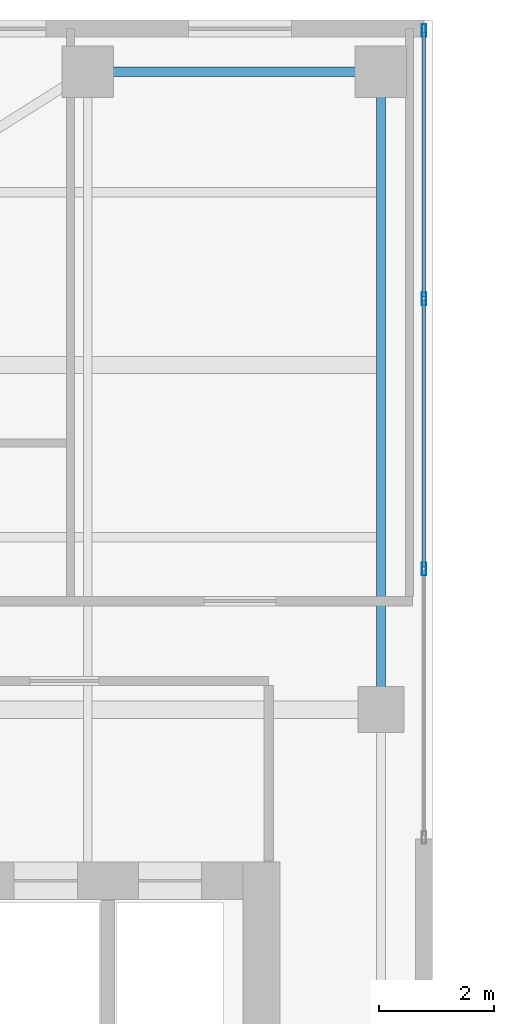
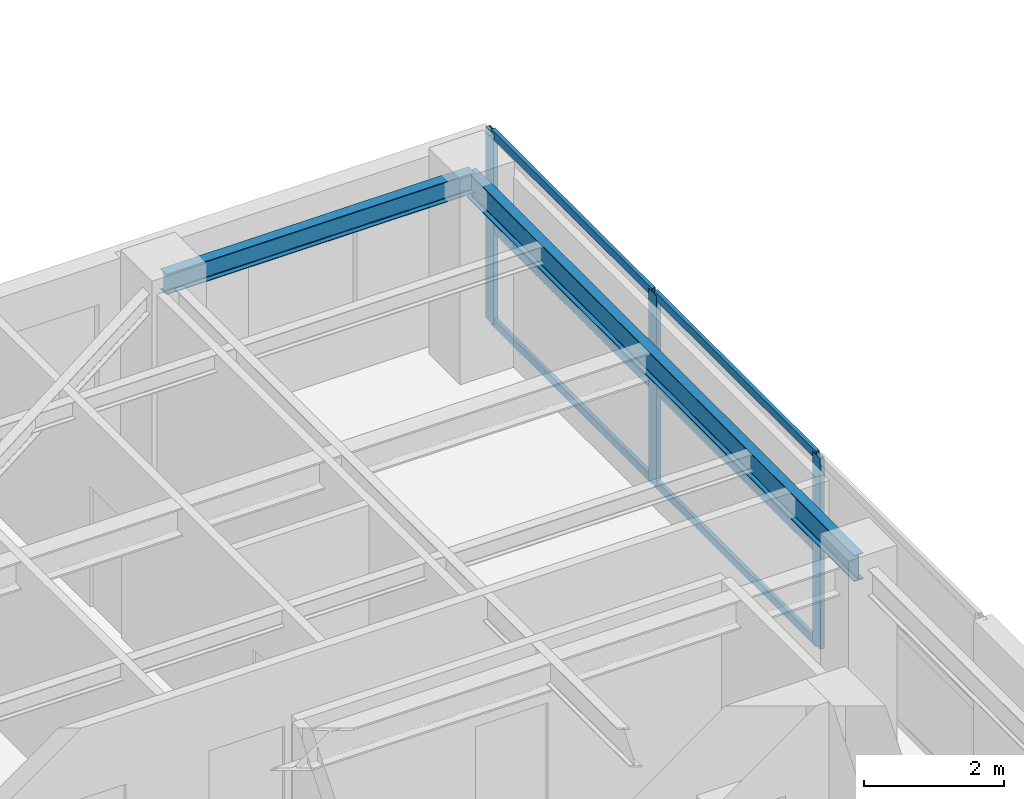
# One storey, part 13 of 20: 9 members, 2 beams, 1 element without a shape of its own.
"""IFC4 building model written with IfcOpenShell, lengths in metres."""

from ifc_helpers import new_model, si_unit, direction, frame, origin, origin_2d, place, context, subcontext, project, spatial, hollow_rectangle, i_section, extrude, source, transform, mapped, material, layer, layer_set, material_profile, profile_set, type_object, element, aggregate, save


model = new_model("IFC4")

# Units and contexts
model_context = context("Model", 3, precision=1e-05, world=origin(), true_north=direction((0.0, 1.0)))
body_context = subcontext(model_context, "Body", "Model", "MODEL_VIEW")
ifc_project = project(units=[si_unit("LENGTHUNIT", "METRE"), si_unit("AREAUNIT", "SQUARE_METRE"), si_unit("VOLUMEUNIT", "CUBIC_METRE"), si_unit("PLANEANGLEUNIT", "RADIAN"), si_unit("MASSUNIT", "GRAM", prefix="KILO")], contexts=[model_context])

# Site, building, storey
site_placement = place(None, origin())
site = spatial("IfcSite", under=ifc_project, at=site_placement, CompositionType="ELEMENT")
building_placement = place(site_placement, origin())
building = spatial("IfcBuilding", under=site, at=building_placement, Name="Khoralis Quay Care Tower", CompositionType="ELEMENT")
storey_placement = place(building_placement, frame((0.0, 0.0, 198.89990234375)))
storey = spatial("IfcBuildingStorey", under=building, at=storey_placement, Name="L52", CompositionType="ELEMENT", Elevation=198.89990234375)

# Beams
ifc_material_1 = material(Name="Steel S355", Category="steel")
ifc_material_profile_1 = material_profile(ifc_material_1, i_section(OverallWidth=0.169921875, OverallDepth=0.360107421875, WebThickness=0.008056640625, FlangeThickness=0.0126953125, FilletRadius=0.01806640625, at=origin_2d()), Name="Steel S355")
ifc_profile_set_1 = profile_set([ifc_material_profile_1], Name="Steel S355")
beam_type_1 = type_object("IfcBeamType", Name="BM-IPE360", PredefinedType="SPANDREL", material=ifc_profile_set_1)
shared_shape_1 = source(origin(), body_context, "Body", "SweptSolid", [
    extrude(i_section(OverallWidth=0.169921875, OverallDepth=0.360107421875, WebThickness=0.008056640625, FlangeThickness=0.0126953125, FilletRadius=0.01806640625, at=origin_2d()), origin(), (0.0, 0.0, 1.0), 5.10009765625),
])
beam_1_placement = place(storey_placement, frame((12.0, 41.10009765625, 3.16015625), z_axis=(1.0, 0.0, 0.0), x_axis=(0.0, 1.0, 0.0)))
element("IfcBeam", 1, at=beam_1_placement, inside=storey, type_object=beam_type_1, Name="BM-TSP-L52-03", PredefinedType="SPANDREL", context=body_context, shape_type="MappedRepresentation", body=[
    mapped(shared_shape_1, transform((0.0, 0.0, 0.0), scale=1.0)),
])
ifc_material_profile_2 = material_profile(ifc_material_1, i_section(OverallWidth=0.154052734375, OverallDepth=0.458984375, WebThickness=0.009033203125, FlangeThickness=0.015380859375, FilletRadius=0.014892578125, at=origin_2d()), Name="Steel S355")
ifc_profile_set_2 = profile_set([ifc_material_profile_2], Name="Steel S355")
beam_type_2 = type_object("IfcBeamType", Name="BM-W460X68", PredefinedType="BEAM", material=ifc_profile_set_2)
shared_shape_2 = source(origin(), body_context, "Body", "SweptSolid", [
    extrude(i_section(OverallWidth=0.154052734375, OverallDepth=0.458984375, WebThickness=0.009033203125, FlangeThickness=0.015380859375, FilletRadius=0.014892578125, at=origin_2d()), origin(), (0.0, 0.0, 1.0), 11.10009765625),
])
beam_2_placement = place(storey_placement, frame((17.10009765625, 30.0, 3.110595703125), z_axis=(0.0, 1.0, 0.0), x_axis=(-1.0, 0.0, 0.0)))
element("IfcBeam", 2, at=beam_2_placement, inside=storey, type_object=beam_type_2, Name="BM-TGYN-L52-171", PredefinedType="BEAM", context=body_context, shape_type="MappedRepresentation", body=[
    mapped(shared_shape_2, transform((0.0, 0.0, 0.0), scale=1.0)),
])

# Curtain wall, members
ifc_material_2 = material(Name="Pale anodised aluminium", Category="aluminium")
ifc_layer = layer(ifc_material_2, 0.18994140625)
ifc_layer_set = layer_set([ifc_layer], Name="Pale anodised aluminium")
curtain_wall_type = type_object("IfcCurtainWallType", Name="CW-SYS-PORTAL", PredefinedType="NOTDEFINED", material=ifc_layer_set)
curtain_wall_placement = place(storey_placement, origin())
curtain_wall = element("IfcCurtainWall", 3, at=curtain_wall_placement, inside=storey, type_object=curtain_wall_type, Name="L52 Unitised Curtain Wall CW-VP-L52-P1-N", PredefinedType="NOTDEFINED")
ifc_material_profile_3 = material_profile(ifc_material_2, hollow_rectangle(XDim=0.074951171875, YDim=0.219970703125, WallThickness=0.00390625, at=origin_2d()), Name="Pale anodised aluminium")
ifc_profile_set_3 = profile_set([ifc_material_profile_3], Name="Pale anodised aluminium")
member_type_1 = type_object("IfcMemberType", Name="CW-MUL-220", PredefinedType="MULLION", material=ifc_profile_set_3)
shared_shape_3 = source(origin(), body_context, "Body", "SweptSolid", [
    extrude(hollow_rectangle(XDim=0.074951171875, YDim=0.219970703125, WallThickness=0.00390625, at=origin_2d()), origin(), (0.0, 0.0, 1.0), 3.340087890625),
])
member_1_placement = place(storey_placement, frame((17.85009765625, 32.449951171875, 0.0), z_axis=(0.0, 0.0, 1.0), x_axis=(-1.0, 0.0, 0.0)))
member_1 = element("IfcMember", 4, at=member_1_placement, type_object=member_type_1, Name="CW4 mullion 2", PredefinedType="MULLION", context=body_context, shape_type="MappedRepresentation", body=[
    mapped(shared_shape_3, transform((0.0, 0.0, 0.0), scale=1.0)),
])
member_2_placement = place(storey_placement, frame((17.85009765625, 37.14990234375, 0.0), z_axis=(0.0, 0.0, 1.0), x_axis=(-1.0, 0.0, 0.0)))
member_2 = element("IfcMember", 5, at=member_2_placement, type_object=member_type_1, Name="CW4 mullion 3", PredefinedType="MULLION", context=body_context, shape_type="MappedRepresentation", body=[
    mapped(shared_shape_3, transform((0.0, 0.0, 0.0), scale=1.0)),
])
member_3_placement = place(storey_placement, frame((17.85009765625, 41.820068359375, 0.0), z_axis=(0.0, 0.0, 1.0), x_axis=(-1.0, 0.0, 0.0)))
member_3 = element("IfcMember", 6, at=member_3_placement, type_object=member_type_1, Name="CW4 mullion 4", PredefinedType="MULLION", context=body_context, shape_type="MappedRepresentation", body=[
    mapped(shared_shape_3, transform((0.0, 0.0, 0.0), scale=1.0)),
])
ifc_material_profile_4 = material_profile(ifc_material_2, hollow_rectangle(XDim=0.06005859375, YDim=0.139892578125, WallThickness=0.00390625, at=origin_2d()), Name="Pale anodised aluminium")
ifc_profile_set_4 = profile_set([ifc_material_profile_4], Name="Pale anodised aluminium")
member_type_2 = type_object("IfcMemberType", Name="CW-TRN-140", PredefinedType="USERDEFINED", material=ifc_profile_set_4)
shared_shape_4 = source(origin(), body_context, "Body", "SweptSolid", [
    extrude(hollow_rectangle(XDim=0.06005859375, YDim=0.139892578125, WallThickness=0.00390625, at=origin_2d()), origin(), (0.0, 0.0, 1.0), 4.610107421875),
])
member_4_placement = place(storey_placement, frame((17.85009765625, 37.179931640625, 0.030029296875), z_axis=(0.0, 1.0, 0.0), x_axis=(-1.0, 0.0, 0.0)))
member_4 = element("IfcMember", 7, at=member_4_placement, type_object=member_type_2, Name="CW4 transom 3.1", ObjectType="TRANSOM", PredefinedType="USERDEFINED", context=body_context, shape_type="MappedRepresentation", body=[
    mapped(shared_shape_4, transform((0.0, 0.0, 0.0), scale=1.0)),
])
member_5_placement = place(storey_placement, frame((17.85009765625, 37.179931640625, 1.670166015625), z_axis=(0.0, 1.0, 0.0), x_axis=(-1.0, 0.0, 0.0)))
member_5 = element("IfcMember", 8, at=member_5_placement, type_object=member_type_2, Name="CW4 transom 3.2", ObjectType="TRANSOM", PredefinedType="USERDEFINED", context=body_context, shape_type="MappedRepresentation", body=[
    mapped(shared_shape_4, transform((0.0, 0.0, 0.0), scale=1.0)),
])
member_6_placement = place(storey_placement, frame((17.85009765625, 37.179931640625, 3.31005859375), z_axis=(0.0, 1.0, 0.0), x_axis=(-1.0, 0.0, 0.0)))
member_6 = element("IfcMember", 9, at=member_6_placement, type_object=member_type_2, Name="CW4 transom 3.3", ObjectType="TRANSOM", PredefinedType="USERDEFINED", context=body_context, shape_type="MappedRepresentation", body=[
    mapped(shared_shape_4, transform((0.0, 0.0, 0.0), scale=1.0)),
])
shared_shape_5 = source(origin(), body_context, "Body", "SweptSolid", [
    extrude(hollow_rectangle(XDim=0.06005859375, YDim=0.139892578125, WallThickness=0.00390625, at=origin_2d()), origin(), (0.0, 0.0, 1.0), 4.64013671875),
])
member_7_placement = place(storey_placement, frame((17.85009765625, 32.47998046875, 0.030029296875), z_axis=(0.0, 1.0, 0.0), x_axis=(-1.0, 0.0, 0.0)))
member_7 = element("IfcMember", 10, at=member_7_placement, type_object=member_type_2, Name="CW4 transom 2.1", ObjectType="TRANSOM", PredefinedType="USERDEFINED", context=body_context, shape_type="MappedRepresentation", body=[
    mapped(shared_shape_5, transform((0.0, 0.0, 0.0), scale=1.0)),
])
member_8_placement = place(storey_placement, frame((17.85009765625, 32.47998046875, 1.670166015625), z_axis=(0.0, 1.0, 0.0), x_axis=(-1.0, 0.0, 0.0)))
member_8 = element("IfcMember", 11, at=member_8_placement, type_object=member_type_2, Name="CW4 transom 2.2", ObjectType="TRANSOM", PredefinedType="USERDEFINED", context=body_context, shape_type="MappedRepresentation", body=[
    mapped(shared_shape_5, transform((0.0, 0.0, 0.0), scale=1.0)),
])
member_9_placement = place(storey_placement, frame((17.85009765625, 32.47998046875, 3.31005859375), z_axis=(0.0, 1.0, 0.0), x_axis=(-1.0, 0.0, 0.0)))
member_9 = element("IfcMember", 12, at=member_9_placement, type_object=member_type_2, Name="CW4 transom 2.3", ObjectType="TRANSOM", PredefinedType="USERDEFINED", context=body_context, shape_type="MappedRepresentation", body=[
    mapped(shared_shape_5, transform((0.0, 0.0, 0.0), scale=1.0)),
])
aggregate(curtain_wall, [member_1, member_2, member_3, member_7, member_8, member_9, member_4, member_5, member_6])

save(model, "model.ifc")
